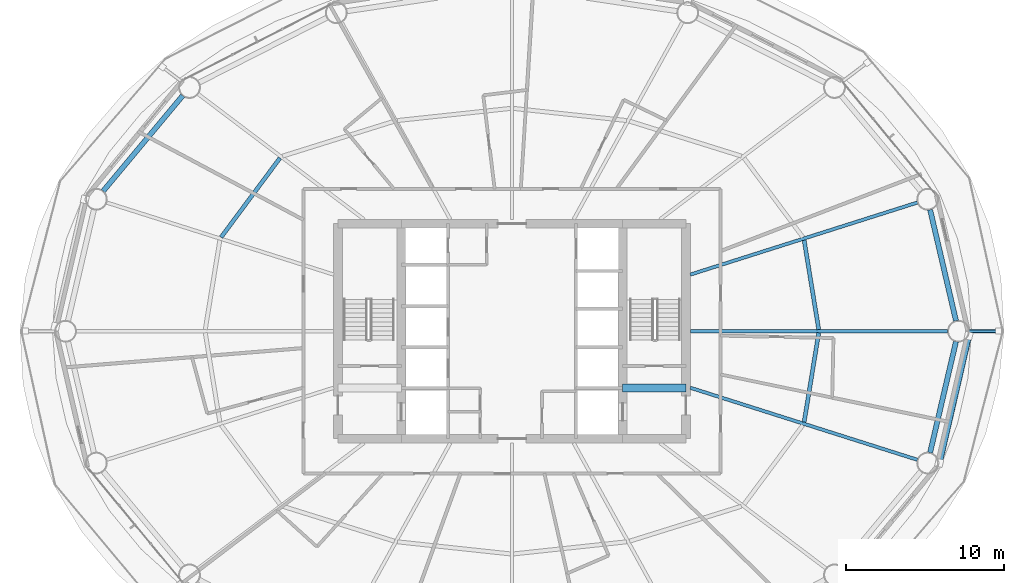
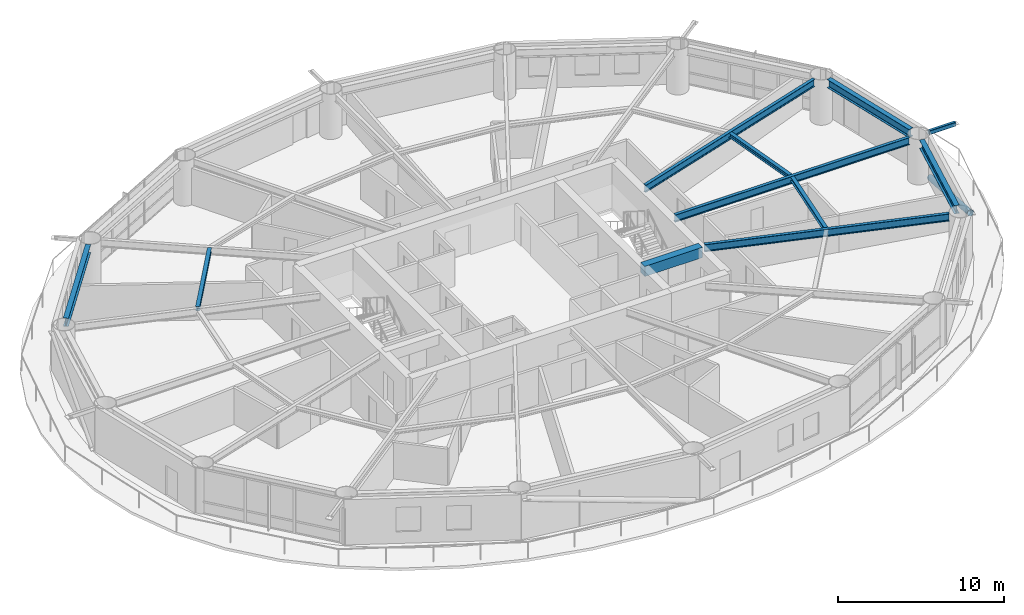
# One storey, part 7 of 24: 10 beams, 2 members.
"""IFC4 building model written with IfcOpenShell, lengths in metres."""

from ifc_helpers import new_model, si_unit, direction, frame, origin, origin_2d, place, context, subcontext, project, spatial, rectangle, hollow_rectangle, hollow_circle, i_section, extrude, material, material_profile, profile_set, type_object, element, save


model = new_model("IFC4")

# Units and contexts
model_context = context("Model", 3, precision=1e-05, world=origin(), true_north=direction((0.0, 1.0)))
body_context = subcontext(model_context, "Body", "Model", "MODEL_VIEW")
ifc_project = project(units=[si_unit("LENGTHUNIT", "METRE"), si_unit("AREAUNIT", "SQUARE_METRE"), si_unit("VOLUMEUNIT", "CUBIC_METRE"), si_unit("PLANEANGLEUNIT", "RADIAN"), si_unit("MASSUNIT", "GRAM", prefix="KILO")], contexts=[model_context])

# Site, building, storey
site_placement = place(None, origin())
site = spatial("IfcSite", under=ifc_project, at=site_placement, CompositionType="ELEMENT")
building_placement = place(site_placement, origin())
building = spatial("IfcBuilding", under=site, at=building_placement, Name="Sarneth Arch Tower", CompositionType="ELEMENT")
storey_placement = place(building_placement, frame((0.0, 0.0, 130.800048828125)))
storey = spatial("IfcBuildingStorey", under=building, at=storey_placement, Name="L33", CompositionType="ELEMENT", Elevation=130.800048828125)

# Beams
ifc_material_1 = material(Name="Steel S355", Category="steel")
ifc_material_profile_1 = material_profile(ifc_material_1, i_section(OverallWidth=0.25390625, OverallDepth=0.305908203125, WebThickness=0.0087890625, FlangeThickness=0.0146484375, FilletRadius=0.014892578125, at=origin_2d()), Name="W310x79")
ifc_profile_set_1 = profile_set([ifc_material_profile_1], Name="Steel S355")
beam_type_1 = type_object("IfcBeamType", Name="BM-JOIST-310A", PredefinedType="JOIST", material=ifc_profile_set_1)
beam_1_placement = place(storey_placement, frame((67.4013671875, 42.10400390625, 3.1669921875), z_axis=(-0.16120310833, 0.986921252109, 0.0), x_axis=(-0.986921252109, -0.16120310833, 0.0)))
element("IfcBeam", 1, at=beam_1_placement, inside=storey, type_object=beam_type_1, Name="L33 Secondary floor joist 01", PredefinedType="JOIST", context=body_context, shape_type="SweptSolid", body=[
    extrude(i_section(OverallWidth=0.25390625, OverallDepth=0.305908203125, WebThickness=0.0087890625, FlangeThickness=0.0146484375, FilletRadius=0.014892578125, at=origin_2d()), origin(), (0.0, 0.0, 1.0), 5.724853515625),
])
beam_2_placement = place(storey_placement, frame((33.32666015625, 52.956787109375, 3.1669921875), z_axis=(-0.596354224217, -0.80272139579, 0.0), x_axis=(0.80272139579, -0.596354224217, 0.0)))
element("IfcBeam", 2, at=beam_2_placement, inside=storey, type_object=beam_type_1, Name="L33 Secondary floor joist 07", PredefinedType="JOIST", context=body_context, shape_type="SweptSolid", body=[
    extrude(i_section(OverallWidth=0.25390625, OverallDepth=0.305908203125, WebThickness=0.0087890625, FlangeThickness=0.0146484375, FilletRadius=0.014892578125, at=origin_2d()), origin(), (0.0, 0.0, 1.0), 6.246337890625),
])
beam_3_placement = place(storey_placement, frame((66.478515625, 36.24609375, 3.1669921875), z_axis=(0.16120310833, 0.986921252109, 0.0), x_axis=(-0.986921252109, 0.16120310833, 0.0)))
element("IfcBeam", 3, at=beam_3_placement, inside=storey, type_object=beam_type_1, Name="L33 Secondary floor joist 16", PredefinedType="JOIST", context=body_context, shape_type="SweptSolid", body=[
    extrude(i_section(OverallWidth=0.25390625, OverallDepth=0.305908203125, WebThickness=0.0087890625, FlangeThickness=0.0146484375, FilletRadius=0.014892578125, at=origin_2d()), origin(), (0.0, 0.0, 1.0), 5.724853515625),
])
ifc_material_2 = material(Name="Concrete C50/60", Category="concrete")
ifc_material_profile_2 = material_profile(ifc_material_2, rectangle(XDim=0.5, YDim=0.75, at=origin_2d()), Name="RC-500x750")
ifc_profile_set_2 = profile_set([ifc_material_profile_2], Name="Concrete C50/60")
beam_type_2 = type_object("IfcBeamType", Name="BM-LINTEL-RC", PredefinedType="LINTEL", material=ifc_profile_set_2)
beam_4_placement = place(storey_placement, frame((55.0, 38.39990234375, 2.945068359375), z_axis=(1.0, 0.0, 0.0), x_axis=(0.0, 1.0, 0.0)))
element("IfcBeam", 4, at=beam_4_placement, inside=storey, type_object=beam_type_2, Name="L33 Core coupling lintel E", PredefinedType="LINTEL", context=body_context, shape_type="SweptSolid", body=[
    extrude(rectangle(XDim=0.5, YDim=0.75, at=origin_2d()), origin(), (0.0, 0.0, 1.0), 4.0),
])
ifc_material_3 = material(Name="Steel S355", Category="steel")
ifc_material_profile_3 = material_profile(ifc_material_3, i_section(OverallWidth=0.2109375, OverallDepth=0.5390625, WebThickness=0.01171875, FlangeThickness=0.018798828125, FilletRadius=0.01806640625, at=origin_2d()), Name="W530x109")
ifc_profile_set_3 = profile_set([ifc_material_profile_3], Name="Steel S355")
beam_type_3 = type_object("IfcBeamType", Name="BM-RAD-530B", PredefinedType="BEAM", material=ifc_profile_set_3)
beam_5_placement = place(storey_placement, frame((59.27490234375, 42.0, 3.050537109375), z_axis=(1.0, 0.0, 0.0), x_axis=(0.0, 1.0, 0.0)))
element("IfcBeam", 5, at=beam_5_placement, inside=storey, type_object=beam_type_3, Name="L33 Radial floor girder 01", PredefinedType="BEAM", context=body_context, shape_type="SweptSolid", body=[
    extrude(i_section(OverallWidth=0.2109375, OverallDepth=0.5390625, WebThickness=0.01171875, FlangeThickness=0.018798828125, FilletRadius=0.01806640625, at=origin_2d()), origin(), (0.0, 0.0, 1.0), 16.28662109375),
])
for number, where, z_axis, x_axis, name in (
    (6, (59.27490234375, 45.57763671875, 3.050537109375), (0.95316257761, 0.302458427958, 0.0), (-0.302458427958, 0.95316257761, 0.0), "L33 Radial floor girder 02"),
    (7, (59.27490234375, 38.42236328125, 3.050537109375), (0.95316257761, -0.302458427958, 0.0), (0.302458427958, 0.95316257761, 0.0), "L33 Radial floor girder 16"),
):
    element("IfcBeam", number, at=place(storey_placement, frame(where, z_axis=z_axis, x_axis=x_axis)), inside=storey, type_object=beam_type_3, Name=name, PredefinedType="BEAM", context=body_context, shape_type="SweptSolid", body=[
        extrude(i_section(OverallWidth=0.2109375, OverallDepth=0.5390625, WebThickness=0.01171875, FlangeThickness=0.018798828125, FilletRadius=0.01806640625, at=origin_2d()), origin(), (0.0, 0.0, 1.0), 15.0791015625),
    ])
ifc_material_4 = material(Name="Steel S355", Category="steel")
ifc_material_profile_4 = material_profile(ifc_material_4, i_section(OverallWidth=0.323974609375, OverallDepth=0.611083984375, WebThickness=0.0126953125, FlangeThickness=0.01904296875, FilletRadius=0.01904296875, at=origin_2d()), Name="W610x155")
ifc_profile_set_4 = profile_set([ifc_material_profile_4], Name="Steel S355")
beam_type_4 = type_object("IfcBeamType", Name="BM-SPAN-610B", PredefinedType="SPANDREL", material=ifc_profile_set_4)
beam_6_placement = place(storey_placement, frame((76.083251953125, 42.657470703125, 3.014404296875), z_axis=(-0.22708522689, 0.973874889156, 0.0), x_axis=(-0.973874889156, -0.22708522689, 0.0)))
element("IfcBeam", 8, at=beam_6_placement, inside=storey, type_object=beam_type_4, Name="L33 Perimeter spandrel beam 01", PredefinedType="SPANDREL", context=body_context, shape_type="SweptSolid", body=[
    extrude(i_section(OverallWidth=0.323974609375, OverallDepth=0.611083984375, WebThickness=0.0126953125, FlangeThickness=0.01904296875, FilletRadius=0.01904296875, at=origin_2d()), origin(), (0.0, 0.0, 1.0), 7.216064453125),
])
beam_7_placement = place(storey_placement, frame((27.170166015625, 56.896484375, 3.014404296875), z_axis=(-0.640169116175, -0.768234015581, 0.0), x_axis=(0.768234015581, -0.640169116175, 0.0)))
element("IfcBeam", 9, at=beam_7_placement, inside=storey, type_object=beam_type_4, Name="L33 Perimeter spandrel beam 07", PredefinedType="SPANDREL", context=body_context, shape_type="SweptSolid", body=[
    extrude(i_section(OverallWidth=0.323974609375, OverallDepth=0.611083984375, WebThickness=0.0126953125, FlangeThickness=0.01904296875, FilletRadius=0.01904296875, at=origin_2d()), origin(), (0.0, 0.0, 1.0), 7.856201171875),
])
beam_8_placement = place(storey_placement, frame((74.444580078125, 34.31494140625, 3.014404296875), z_axis=(0.22708522689, 0.973874889156, 0.0), x_axis=(-0.973874889156, 0.22708522689, 0.0)))
element("IfcBeam", 10, at=beam_8_placement, inside=storey, type_object=beam_type_4, Name="L33 Perimeter spandrel beam 16", PredefinedType="SPANDREL", context=body_context, shape_type="SweptSolid", body=[
    extrude(i_section(OverallWidth=0.323974609375, OverallDepth=0.611083984375, WebThickness=0.0126953125, FlangeThickness=0.01904296875, FilletRadius=0.01904296875, at=origin_2d()), origin(), (0.0, 0.0, 1.0), 7.216064453125),
])

# Members
ifc_material_5 = material(Name="Steel S355", Category="steel")
ifc_material_profile_5 = material_profile(ifc_material_5, hollow_rectangle(XDim=0.199951171875, YDim=0.300048828125, WallThickness=0.012451171875, InnerFilletRadius=0.018798828125, OuterFilletRadius=0.03125, at=origin_2d()), Name="RHS300x200x12.5")
ifc_profile_set_5 = profile_set([ifc_material_profile_5], Name="Steel S355")
member_type_1 = type_object("IfcMemberType", Name="MEM-CANT-STRUT", PredefinedType="STRUT", material=ifc_profile_set_5)
member_1_placement = place(storey_placement, frame((76.91162109375, 42.0, 3.159912109375), z_axis=(1.0, 0.0, 0.0), x_axis=(0.0, 1.0, 0.0)))
element("IfcMember", 11, at=member_1_placement, inside=storey, type_object=member_type_1, Name="L33 Balcony cantilever bracket 01", PredefinedType="STRUT", context=body_context, shape_type="SweptSolid", body=[
    extrude(hollow_rectangle(XDim=0.199951171875, YDim=0.300048828125, WallThickness=0.012451171875, InnerFilletRadius=0.018798828125, OuterFilletRadius=0.03125, at=origin_2d()), origin(), (0.0, 0.0, 1.0), 1.845703125),
])
ifc_material_6 = material(Name="Steel S355", Category="steel")
ifc_material_profile_6 = material_profile(ifc_material_6, hollow_circle(Radius=0.202880859375, WallThickness=0.01611328125, at=origin_2d()), Name="CHS406x16")
ifc_profile_set_6 = profile_set([ifc_material_profile_6], Name="Steel S355")
member_type_2 = type_object("IfcMemberType", Name="MEM-DIAG-BR2", PredefinedType="BRACE", material=ifc_profile_set_6)
member_2_placement = place(storey_placement, frame((76.878662109375, 41.707763671875, 0.02001953125), z_axis=(-0.212336995692, -0.917970615256, 0.335026789657), x_axis=(0.974275349464, -0.225360918143, 0.0)))
element("IfcMember", 12, at=member_2_placement, inside=storey, type_object=member_type_2, Name="L33 Perimeter frame diagonal 16", PredefinedType="BRACE", context=body_context, shape_type="SweptSolid", body=[
    extrude(hollow_circle(Radius=0.202880859375, WallThickness=0.01611328125, at=origin_2d()), origin(), (0.0, 0.0, 1.0), 8.755615234375),
])

save(model, "model.ifc")
